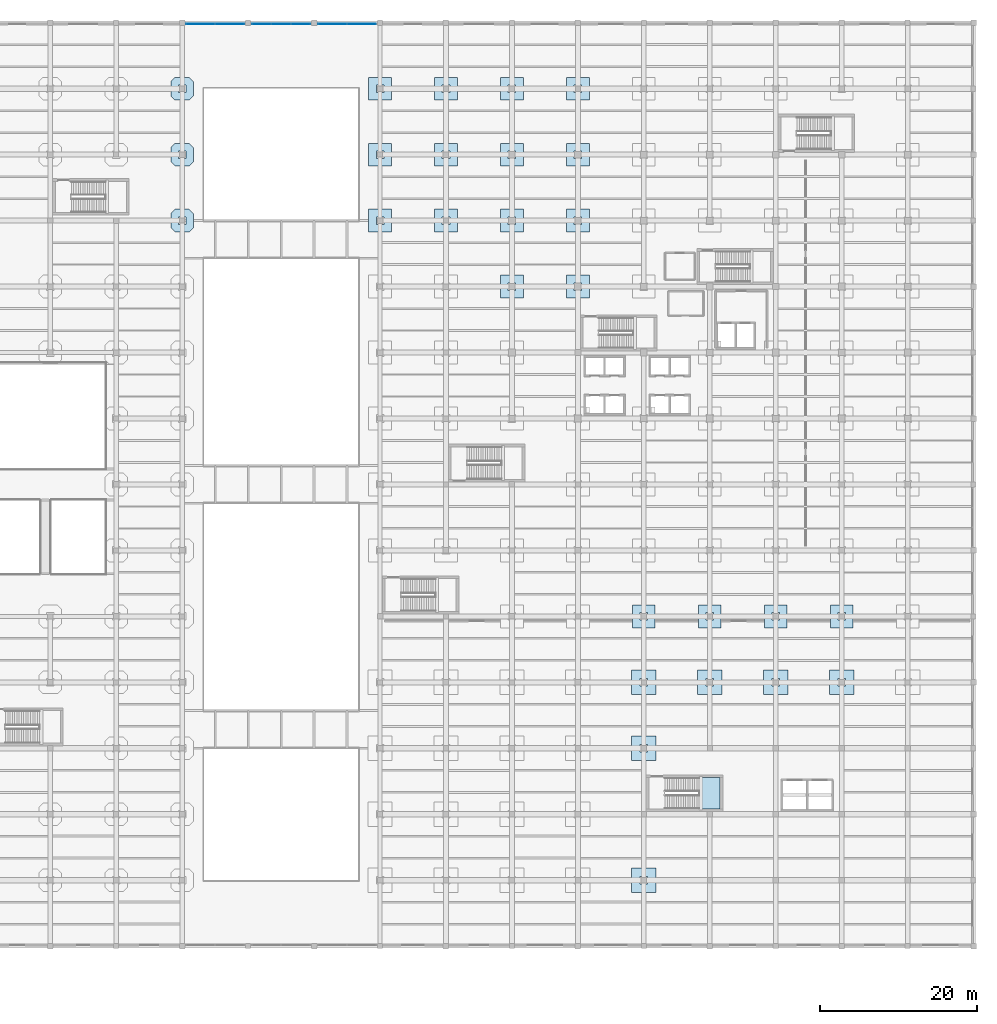
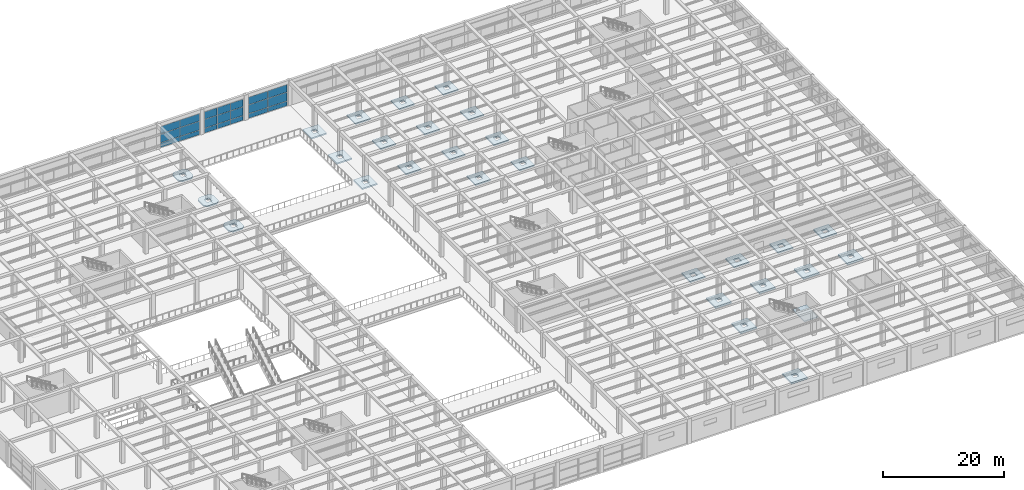
# One storey, part 44 of 65: 28 slabs, 21 plates, 4 elements without a shape of their own.
"""IFC4 building model written with IfcOpenShell, lengths in metres."""

from ifc_helpers import new_model, si_unit, direction, frame, origin, origin_2d, place, context, subcontext, project, spatial, polyline, rectangle, outline, extrude, material, layer, layer_set, type_object, element, aggregate, save


model = new_model("IFC4")

# Units and contexts
model_context = context("Model", 3, precision=1e-05, world=origin(), true_north=direction((0.0, 1.0)))
body_context = subcontext(model_context, "Body", "Model", "MODEL_VIEW")
ifc_project = project(units=[si_unit("LENGTHUNIT", "METRE"), si_unit("AREAUNIT", "SQUARE_METRE"), si_unit("VOLUMEUNIT", "CUBIC_METRE"), si_unit("PLANEANGLEUNIT", "RADIAN"), si_unit("MASSUNIT", "GRAM", prefix="KILO")], contexts=[model_context])

# Site, building, storey
site_placement = place(None, origin())
site = spatial("IfcSite", under=ifc_project, at=site_placement, CompositionType="ELEMENT")
building_placement = place(site_placement, origin())
building = spatial("IfcBuilding", under=site, at=building_placement, Name="Almacenes y Pasaje Nevantli", CompositionType="ELEMENT")
storey_placement = place(building_placement, frame((0.0, 0.0, 16.800048828125)))
storey = spatial("IfcBuildingStorey", under=building, at=storey_placement, Name="L04", CompositionType="ELEMENT", Elevation=16.800048828125)

# Curtain wall, plates
ifc_material_1 = material(Name="Thermally Broken Aluminium and Low-E Glass", Category="aluminium")
curtain_wall_type = type_object("IfcCurtainWallType", Name="CW-STF-ARCADE", PredefinedType="USERDEFINED", material=ifc_material_1)
curtain_wall_1_placement = place(storey_placement, origin())
curtain_wall_1 = element("IfcCurtainWall", 1, at=curtain_wall_1_placement, inside=storey, type_object=curtain_wall_type, Name="L04 North Arcade Monumental Portal Curtain Wall Bay 9", ObjectType="STOREFRONT GLAZING", PredefinedType="USERDEFINED")
ifc_material_2 = material(Name="Acoustic Tempered Low-E Triple Glazed Unit", Category="glass")
ifc_layer_1 = layer(ifc_material_2, 0.0419921875)
ifc_layer_set_1 = layer_set([ifc_layer_1], Name="Acoustic Tempered Low-E Triple Glazed Unit")
plate_type = type_object("IfcPlateType", Name="PL-IGU-42", PredefinedType="CURTAIN_PANEL", material=ifc_layer_set_1)
plate_1_placement = place(storey_placement, frame((69.541259765625, 117.449951171875, 0.06494140625), z_axis=(0.0, 0.0, 1.0), x_axis=(1.0, 0.0, 0.0)))
plate_1 = element("IfcPlate", 2, at=plate_1_placement, type_object=plate_type, Name="CW-L04-067 panel 1.1", PredefinedType="CURTAIN_PANEL", context=body_context, shape_type="SweptSolid", body=[
    extrude(rectangle(XDim=3.652587890625, YDim=0.0419921875, at=origin_2d()), origin(), (0.0, 0.0, 1.0), 0.902587890625),
])
plate_2_placement = place(storey_placement, frame((69.541259765625, 117.449951171875, 1.0322265625), z_axis=(0.0, 0.0, 1.0), x_axis=(1.0, 0.0, 0.0)))
plate_2 = element("IfcPlate", 3, at=plate_2_placement, type_object=plate_type, Name="CW-L04-067 panel 1.2", PredefinedType="CURTAIN_PANEL", context=body_context, shape_type="SweptSolid", body=[
    extrude(rectangle(XDim=3.652587890625, YDim=0.0419921875, at=origin_2d()), origin(), (0.0, 0.0, 1.0), 1.735107421875),
])
plate_3_placement = place(storey_placement, frame((69.541259765625, 117.449951171875, 2.83251953125), z_axis=(0.0, 0.0, 1.0), x_axis=(1.0, 0.0, 0.0)))
plate_3 = element("IfcPlate", 4, at=plate_3_placement, type_object=plate_type, Name="CW-L04-067 panel 1.3", PredefinedType="CURTAIN_PANEL", context=body_context, shape_type="SweptSolid", body=[
    extrude(rectangle(XDim=3.652587890625, YDim=0.0419921875, at=origin_2d()), origin(), (0.0, 0.0, 1.0), 1.482421875),
])
plate_4_placement = place(storey_placement, frame((73.2587890625, 117.449951171875, 0.06494140625), z_axis=(0.0, 0.0, 1.0), x_axis=(1.0, 0.0, 0.0)))
plate_4 = element("IfcPlate", 5, at=plate_4_placement, type_object=plate_type, Name="CW-L04-067 panel 2.1", PredefinedType="CURTAIN_PANEL", context=body_context, shape_type="SweptSolid", body=[
    extrude(rectangle(XDim=3.652587890625, YDim=0.0419921875, at=origin_2d()), origin(), (0.0, 0.0, 1.0), 0.902587890625),
])
plate_5_placement = place(storey_placement, frame((73.2587890625, 117.449951171875, 1.0322265625), z_axis=(0.0, 0.0, 1.0), x_axis=(1.0, 0.0, 0.0)))
plate_5 = element("IfcPlate", 6, at=plate_5_placement, type_object=plate_type, Name="CW-L04-067 panel 2.2", PredefinedType="CURTAIN_PANEL", context=body_context, shape_type="SweptSolid", body=[
    extrude(rectangle(XDim=3.652587890625, YDim=0.0419921875, at=origin_2d()), origin(), (0.0, 0.0, 1.0), 1.735107421875),
])
plate_6_placement = place(storey_placement, frame((73.2587890625, 117.449951171875, 2.83251953125), z_axis=(0.0, 0.0, 1.0), x_axis=(1.0, 0.0, 0.0)))
plate_6 = element("IfcPlate", 7, at=plate_6_placement, type_object=plate_type, Name="CW-L04-067 panel 2.3", PredefinedType="CURTAIN_PANEL", context=body_context, shape_type="SweptSolid", body=[
    extrude(rectangle(XDim=3.652587890625, YDim=0.0419921875, at=origin_2d()), origin(), (0.0, 0.0, 1.0), 1.482421875),
])
aggregate(curtain_wall_1, [plate_1, plate_2, plate_3, plate_4, plate_5, plate_6])

curtain_wall_2_placement = place(storey_placement, origin())
curtain_wall_2 = element("IfcCurtainWall", 8, at=curtain_wall_2_placement, inside=storey, type_object=curtain_wall_type, Name="L04 North Arcade Monumental Portal Curtain Wall Bay 10", ObjectType="STOREFRONT GLAZING", PredefinedType="USERDEFINED")
plate_7_placement = place(storey_placement, frame((77.316162109375, 117.449951171875, 0.06494140625), z_axis=(0.0, 0.0, 1.0), x_axis=(1.0, 0.0, 0.0)))
plate_7 = element("IfcPlate", 9, at=plate_7_placement, type_object=plate_type, Name="CW-L04-068 panel 1.1", PredefinedType="CURTAIN_PANEL", context=body_context, shape_type="SweptSolid", body=[
    extrude(rectangle(XDim=2.402587890625, YDim=0.0419921875, at=origin_2d()), origin(), (0.0, 0.0, 1.0), 0.902587890625),
])
plate_8_placement = place(storey_placement, frame((77.316162109375, 117.449951171875, 1.0322265625), z_axis=(0.0, 0.0, 1.0), x_axis=(1.0, 0.0, 0.0)))
plate_8 = element("IfcPlate", 10, at=plate_8_placement, type_object=plate_type, Name="CW-L04-068 panel 1.2", PredefinedType="CURTAIN_PANEL", context=body_context, shape_type="SweptSolid", body=[
    extrude(rectangle(XDim=2.402587890625, YDim=0.0419921875, at=origin_2d()), origin(), (0.0, 0.0, 1.0), 1.735107421875),
])
plate_9_placement = place(storey_placement, frame((77.316162109375, 117.449951171875, 2.83251953125), z_axis=(0.0, 0.0, 1.0), x_axis=(1.0, 0.0, 0.0)))
plate_9 = element("IfcPlate", 11, at=plate_9_placement, type_object=plate_type, Name="CW-L04-068 panel 1.3", PredefinedType="CURTAIN_PANEL", context=body_context, shape_type="SweptSolid", body=[
    extrude(rectangle(XDim=2.402587890625, YDim=0.0419921875, at=origin_2d()), origin(), (0.0, 0.0, 1.0), 1.482421875),
])
plate_10_placement = place(storey_placement, frame((79.800048828125, 117.449951171875, 0.06494140625), z_axis=(0.0, 0.0, 1.0), x_axis=(1.0, 0.0, 0.0)))
plate_10 = element("IfcPlate", 12, at=plate_10_placement, type_object=plate_type, Name="CW-L04-068 panel 2.1", PredefinedType="CURTAIN_PANEL", context=body_context, shape_type="SweptSolid", body=[
    extrude(rectangle(XDim=2.43505859375, YDim=0.0419921875, at=origin_2d()), origin(), (0.0, 0.0, 1.0), 0.902587890625),
])
plate_11_placement = place(storey_placement, frame((79.800048828125, 117.449951171875, 1.0322265625), z_axis=(0.0, 0.0, 1.0), x_axis=(1.0, 0.0, 0.0)))
plate_11 = element("IfcPlate", 13, at=plate_11_placement, type_object=plate_type, Name="CW-L04-068 panel 2.2", PredefinedType="CURTAIN_PANEL", context=body_context, shape_type="SweptSolid", body=[
    extrude(rectangle(XDim=2.43505859375, YDim=0.0419921875, at=origin_2d()), origin(), (0.0, 0.0, 1.0), 1.735107421875),
])
plate_12_placement = place(storey_placement, frame((79.800048828125, 117.449951171875, 2.83251953125), z_axis=(0.0, 0.0, 1.0), x_axis=(1.0, 0.0, 0.0)))
plate_12 = element("IfcPlate", 14, at=plate_12_placement, type_object=plate_type, Name="CW-L04-068 panel 2.3", PredefinedType="CURTAIN_PANEL", context=body_context, shape_type="SweptSolid", body=[
    extrude(rectangle(XDim=2.43505859375, YDim=0.0419921875, at=origin_2d()), origin(), (0.0, 0.0, 1.0), 1.482421875),
])
plate_13_placement = place(storey_placement, frame((82.28369140625, 117.449951171875, 0.06494140625), z_axis=(0.0, 0.0, 1.0), x_axis=(1.0, 0.0, 0.0)))
plate_13 = element("IfcPlate", 15, at=plate_13_placement, type_object=plate_type, Name="CW-L04-068 panel 3.1", PredefinedType="CURTAIN_PANEL", context=body_context, shape_type="SweptSolid", body=[
    extrude(rectangle(XDim=2.402587890625, YDim=0.0419921875, at=origin_2d()), origin(), (0.0, 0.0, 1.0), 0.902587890625),
])
plate_14_placement = place(storey_placement, frame((82.28369140625, 117.449951171875, 1.0322265625), z_axis=(0.0, 0.0, 1.0), x_axis=(1.0, 0.0, 0.0)))
plate_14 = element("IfcPlate", 16, at=plate_14_placement, type_object=plate_type, Name="CW-L04-068 panel 3.2", PredefinedType="CURTAIN_PANEL", context=body_context, shape_type="SweptSolid", body=[
    extrude(rectangle(XDim=2.402587890625, YDim=0.0419921875, at=origin_2d()), origin(), (0.0, 0.0, 1.0), 1.735107421875),
])
plate_15_placement = place(storey_placement, frame((82.28369140625, 117.449951171875, 2.83251953125), z_axis=(0.0, 0.0, 1.0), x_axis=(1.0, 0.0, 0.0)))
plate_15 = element("IfcPlate", 17, at=plate_15_placement, type_object=plate_type, Name="CW-L04-068 panel 3.3", PredefinedType="CURTAIN_PANEL", context=body_context, shape_type="SweptSolid", body=[
    extrude(rectangle(XDim=2.402587890625, YDim=0.0419921875, at=origin_2d()), origin(), (0.0, 0.0, 1.0), 1.482421875),
])
aggregate(curtain_wall_2, [plate_7, plate_8, plate_9, plate_10, plate_11, plate_12, plate_13, plate_14, plate_15])

curtain_wall_3_placement = place(storey_placement, origin())
curtain_wall_3 = element("IfcCurtainWall", 18, at=curtain_wall_3_placement, inside=storey, type_object=curtain_wall_type, Name="L04 North Arcade Monumental Portal Curtain Wall Bay 11", ObjectType="STOREFRONT GLAZING", PredefinedType="USERDEFINED")
plate_16_placement = place(storey_placement, frame((86.34130859375, 117.449951171875, 0.06494140625), z_axis=(0.0, 0.0, 1.0), x_axis=(1.0, 0.0, 0.0)))
plate_16 = element("IfcPlate", 19, at=plate_16_placement, type_object=plate_type, Name="CW-L04-069 panel 1.1", PredefinedType="CURTAIN_PANEL", context=body_context, shape_type="SweptSolid", body=[
    extrude(rectangle(XDim=3.652587890625, YDim=0.0419921875, at=origin_2d()), origin(), (0.0, 0.0, 1.0), 0.902587890625),
])
plate_17_placement = place(storey_placement, frame((86.34130859375, 117.449951171875, 1.0322265625), z_axis=(0.0, 0.0, 1.0), x_axis=(1.0, 0.0, 0.0)))
plate_17 = element("IfcPlate", 20, at=plate_17_placement, type_object=plate_type, Name="CW-L04-069 panel 1.2", PredefinedType="CURTAIN_PANEL", context=body_context, shape_type="SweptSolid", body=[
    extrude(rectangle(XDim=3.652587890625, YDim=0.0419921875, at=origin_2d()), origin(), (0.0, 0.0, 1.0), 1.735107421875),
])
plate_18_placement = place(storey_placement, frame((86.34130859375, 117.449951171875, 2.83251953125), z_axis=(0.0, 0.0, 1.0), x_axis=(1.0, 0.0, 0.0)))
plate_18 = element("IfcPlate", 21, at=plate_18_placement, type_object=plate_type, Name="CW-L04-069 panel 1.3", PredefinedType="CURTAIN_PANEL", context=body_context, shape_type="SweptSolid", body=[
    extrude(rectangle(XDim=3.652587890625, YDim=0.0419921875, at=origin_2d()), origin(), (0.0, 0.0, 1.0), 1.482421875),
])
plate_19_placement = place(storey_placement, frame((90.058837890625, 117.449951171875, 0.06494140625), z_axis=(0.0, 0.0, 1.0), x_axis=(1.0, 0.0, 0.0)))
plate_19 = element("IfcPlate", 22, at=plate_19_placement, type_object=plate_type, Name="CW-L04-069 panel 2.1", PredefinedType="CURTAIN_PANEL", context=body_context, shape_type="SweptSolid", body=[
    extrude(rectangle(XDim=3.652587890625, YDim=0.0419921875, at=origin_2d()), origin(), (0.0, 0.0, 1.0), 0.902587890625),
])
plate_20_placement = place(storey_placement, frame((90.058837890625, 117.449951171875, 1.0322265625), z_axis=(0.0, 0.0, 1.0), x_axis=(1.0, 0.0, 0.0)))
plate_20 = element("IfcPlate", 23, at=plate_20_placement, type_object=plate_type, Name="CW-L04-069 panel 2.2", PredefinedType="CURTAIN_PANEL", context=body_context, shape_type="SweptSolid", body=[
    extrude(rectangle(XDim=3.652587890625, YDim=0.0419921875, at=origin_2d()), origin(), (0.0, 0.0, 1.0), 1.735107421875),
])
plate_21_placement = place(storey_placement, frame((90.058837890625, 117.449951171875, 2.83251953125), z_axis=(0.0, 0.0, 1.0), x_axis=(1.0, 0.0, 0.0)))
plate_21 = element("IfcPlate", 24, at=plate_21_placement, type_object=plate_type, Name="CW-L04-069 panel 2.3", PredefinedType="CURTAIN_PANEL", context=body_context, shape_type="SweptSolid", body=[
    extrude(rectangle(XDim=3.652587890625, YDim=0.0419921875, at=origin_2d()), origin(), (0.0, 0.0, 1.0), 1.482421875),
])
aggregate(curtain_wall_3, [plate_16, plate_17, plate_18, plate_19, plate_20, plate_21])

# Slabs
ifc_material_3 = material(Name="Concrete C35/45", Category="concrete")
ifc_layer_2 = layer(ifc_material_3, 0.25)
ifc_layer_set_2 = layer_set([ifc_layer_2], Name="Concrete C35/45")
slab_type_1 = type_object("IfcSlabType", Name="SLB-DP-250", PredefinedType="USERDEFINED", material=ifc_layer_set_2)
slab_1_placement = place(storey_placement, frame((0.0, 0.0, -0.550048828125)))
element("IfcSlab", 25, at=slab_1_placement, inside=storey, type_object=slab_type_1, Name="L04 Punching-Shear Drop Panel DP-02 #827", ObjectType="DROP PANEL", PredefinedType="USERDEFINED", context=body_context, shape_type="SweptSolid", body=[
    extrude(outline(polyline([(66.300048828125, 90.949951171875), (68.10009765625, 90.949951171875), (68.64990234375, 91.5), (68.64990234375, 93.300048828125), (68.10009765625, 93.85009765625), (66.300048828125, 93.85009765625), (65.75, 93.300048828125), (65.75, 91.5), (66.300048828125, 90.949951171875)]), holes=[polyline([(66.719970703125, 91.919921875), (67.679931640625, 91.919921875), (67.679931640625, 92.8798828125), (66.719970703125, 92.8798828125), (66.719970703125, 91.919921875)])]), origin(), (0.0, 0.0, 1.0), 0.25),
])
slab_2_placement = place(storey_placement, frame((0.0, 0.0, -0.550048828125)))
element("IfcSlab", 26, at=slab_2_placement, inside=storey, type_object=slab_type_1, Name="L04 Punching-Shear Drop Panel DP-02 #828", ObjectType="DROP PANEL", PredefinedType="USERDEFINED", context=body_context, shape_type="SweptSolid", body=[
    extrude(outline(polyline([(66.300048828125, 99.35009765625), (68.10009765625, 99.35009765625), (68.64990234375, 99.89990234375), (68.64990234375, 101.699951171875), (68.10009765625, 102.25), (66.300048828125, 102.25), (65.75, 101.699951171875), (65.75, 99.89990234375), (66.300048828125, 99.35009765625)]), holes=[polyline([(66.719970703125, 100.320068359375), (67.679931640625, 100.320068359375), (67.679931640625, 101.280029296875), (66.719970703125, 101.280029296875), (66.719970703125, 100.320068359375)])]), origin(), (0.0, 0.0, 1.0), 0.25),
])
slab_3_placement = place(storey_placement, frame((0.0, 0.0, -0.550048828125)))
element("IfcSlab", 27, at=slab_3_placement, inside=storey, type_object=slab_type_1, Name="L04 Punching-Shear Drop Panel DP-02 #829", ObjectType="DROP PANEL", PredefinedType="USERDEFINED", context=body_context, shape_type="SweptSolid", body=[
    extrude(outline(polyline([(66.300048828125, 107.75), (68.10009765625, 107.75), (68.64990234375, 108.300048828125), (68.64990234375, 110.10009765625), (68.10009765625, 110.64990234375), (66.300048828125, 110.64990234375), (65.75, 110.10009765625), (65.75, 108.300048828125), (66.300048828125, 107.75)]), holes=[polyline([(66.719970703125, 108.719970703125), (67.679931640625, 108.719970703125), (67.679931640625, 109.679931640625), (66.719970703125, 109.679931640625), (66.719970703125, 108.719970703125)])]), origin(), (0.0, 0.0, 1.0), 0.25),
])
slab_4_placement = place(storey_placement, frame((0.0, 0.0, -0.550048828125)))
element("IfcSlab", 28, at=slab_4_placement, inside=storey, type_object=slab_type_1, Name="L04 Punching-Shear Drop Panel DP-02 #839", ObjectType="DROP PANEL", PredefinedType="USERDEFINED", context=body_context, shape_type="SweptSolid", body=[
    extrude(outline(polyline([(90.949951171875, 90.949951171875), (93.85009765625, 90.949951171875), (93.85009765625, 93.85009765625), (90.949951171875, 93.85009765625), (90.949951171875, 90.949951171875)]), holes=[polyline([(91.919921875, 91.919921875), (92.8798828125, 91.919921875), (92.8798828125, 92.8798828125), (91.919921875, 92.8798828125), (91.919921875, 91.919921875)])]), origin(), (0.0, 0.0, 1.0), 0.25),
])
slab_5_placement = place(storey_placement, frame((0.0, 0.0, -0.550048828125)))
element("IfcSlab", 29, at=slab_5_placement, inside=storey, type_object=slab_type_1, Name="L04 Punching-Shear Drop Panel DP-02 #840", ObjectType="DROP PANEL", PredefinedType="USERDEFINED", context=body_context, shape_type="SweptSolid", body=[
    extrude(outline(polyline([(90.949951171875, 99.35009765625), (93.85009765625, 99.35009765625), (93.85009765625, 102.25), (90.949951171875, 102.25), (90.949951171875, 99.35009765625)]), holes=[polyline([(91.919921875, 100.320068359375), (92.8798828125, 100.320068359375), (92.8798828125, 101.280029296875), (91.919921875, 101.280029296875), (91.919921875, 100.320068359375)])]), origin(), (0.0, 0.0, 1.0), 0.25),
])
slab_6_placement = place(storey_placement, frame((0.0, 0.0, -0.550048828125)))
element("IfcSlab", 30, at=slab_6_placement, inside=storey, type_object=slab_type_1, Name="L04 Punching-Shear Drop Panel DP-02 #841", ObjectType="DROP PANEL", PredefinedType="USERDEFINED", context=body_context, shape_type="SweptSolid", body=[
    extrude(outline(polyline([(90.949951171875, 107.75), (93.85009765625, 107.75), (93.85009765625, 110.64990234375), (90.949951171875, 110.64990234375), (90.949951171875, 107.75)]), holes=[polyline([(91.919921875, 108.719970703125), (92.8798828125, 108.719970703125), (92.8798828125, 109.679931640625), (91.919921875, 109.679931640625), (91.919921875, 108.719970703125)])]), origin(), (0.0, 0.0, 1.0), 0.25),
])
slab_7_placement = place(storey_placement, frame((0.0, 0.0, -0.550048828125)))
element("IfcSlab", 31, at=slab_7_placement, inside=storey, type_object=slab_type_1, Name="L04 Punching-Shear Drop Panel DP-02 #850", ObjectType="DROP PANEL", PredefinedType="USERDEFINED", context=body_context, shape_type="SweptSolid", body=[
    extrude(outline(polyline([(99.35009765625, 90.949951171875), (102.25, 90.949951171875), (102.25, 93.85009765625), (99.35009765625, 93.85009765625), (99.35009765625, 90.949951171875)]), holes=[polyline([(100.320068359375, 91.919921875), (101.280029296875, 91.919921875), (101.280029296875, 92.8798828125), (100.320068359375, 92.8798828125), (100.320068359375, 91.919921875)])]), origin(), (0.0, 0.0, 1.0), 0.25),
])
slab_8_placement = place(storey_placement, frame((0.0, 0.0, -0.550048828125)))
element("IfcSlab", 32, at=slab_8_placement, inside=storey, type_object=slab_type_1, Name="L04 Punching-Shear Drop Panel DP-02 #851", ObjectType="DROP PANEL", PredefinedType="USERDEFINED", context=body_context, shape_type="SweptSolid", body=[
    extrude(outline(polyline([(99.35009765625, 99.35009765625), (102.25, 99.35009765625), (102.25, 102.25), (99.35009765625, 102.25), (99.35009765625, 99.35009765625)]), holes=[polyline([(100.320068359375, 100.320068359375), (101.280029296875, 100.320068359375), (101.280029296875, 101.280029296875), (100.320068359375, 101.280029296875), (100.320068359375, 100.320068359375)])]), origin(), (0.0, 0.0, 1.0), 0.25),
])
slab_9_placement = place(storey_placement, frame((0.0, 0.0, -0.550048828125)))
element("IfcSlab", 33, at=slab_9_placement, inside=storey, type_object=slab_type_1, Name="L04 Punching-Shear Drop Panel DP-02 #852", ObjectType="DROP PANEL", PredefinedType="USERDEFINED", context=body_context, shape_type="SweptSolid", body=[
    extrude(outline(polyline([(99.35009765625, 107.75), (102.25, 107.75), (102.25, 110.64990234375), (99.35009765625, 110.64990234375), (99.35009765625, 107.75)]), holes=[polyline([(100.320068359375, 108.719970703125), (101.280029296875, 108.719970703125), (101.280029296875, 109.679931640625), (100.320068359375, 109.679931640625), (100.320068359375, 108.719970703125)])]), origin(), (0.0, 0.0, 1.0), 0.25),
])
slab_10_placement = place(storey_placement, frame((0.0, 0.0, -0.550048828125)))
element("IfcSlab", 34, at=slab_10_placement, inside=storey, type_object=slab_type_1, Name="L04 Punching-Shear Drop Panel DP-02 #861", ObjectType="DROP PANEL", PredefinedType="USERDEFINED", context=body_context, shape_type="SweptSolid", body=[
    extrude(outline(polyline([(107.75, 82.550048828125), (110.64990234375, 82.550048828125), (110.64990234375, 85.449951171875), (107.75, 85.449951171875), (107.75, 82.550048828125)]), holes=[polyline([(108.719970703125, 83.52001953125), (109.679931640625, 83.52001953125), (109.679931640625, 84.47998046875), (108.719970703125, 84.47998046875), (108.719970703125, 83.52001953125)])]), origin(), (0.0, 0.0, 1.0), 0.25),
])
slab_11_placement = place(storey_placement, frame((0.0, 0.0, -0.550048828125)))
element("IfcSlab", 35, at=slab_11_placement, inside=storey, type_object=slab_type_1, Name="L04 Punching-Shear Drop Panel DP-02 #862", ObjectType="DROP PANEL", PredefinedType="USERDEFINED", context=body_context, shape_type="SweptSolid", body=[
    extrude(outline(polyline([(107.75, 90.949951171875), (110.64990234375, 90.949951171875), (110.64990234375, 93.85009765625), (107.75, 93.85009765625), (107.75, 90.949951171875)]), holes=[polyline([(108.719970703125, 91.919921875), (109.679931640625, 91.919921875), (109.679931640625, 92.8798828125), (108.719970703125, 92.8798828125), (108.719970703125, 91.919921875)])]), origin(), (0.0, 0.0, 1.0), 0.25),
])
slab_12_placement = place(storey_placement, frame((0.0, 0.0, -0.550048828125)))
element("IfcSlab", 36, at=slab_12_placement, inside=storey, type_object=slab_type_1, Name="L04 Punching-Shear Drop Panel DP-02 #863", ObjectType="DROP PANEL", PredefinedType="USERDEFINED", context=body_context, shape_type="SweptSolid", body=[
    extrude(outline(polyline([(107.75, 99.35009765625), (110.64990234375, 99.35009765625), (110.64990234375, 102.25), (107.75, 102.25), (107.75, 99.35009765625)]), holes=[polyline([(108.719970703125, 100.320068359375), (109.679931640625, 100.320068359375), (109.679931640625, 101.280029296875), (108.719970703125, 101.280029296875), (108.719970703125, 100.320068359375)])]), origin(), (0.0, 0.0, 1.0), 0.25),
])
slab_13_placement = place(storey_placement, frame((0.0, 0.0, -0.550048828125)))
element("IfcSlab", 37, at=slab_13_placement, inside=storey, type_object=slab_type_1, Name="L04 Punching-Shear Drop Panel DP-02 #864", ObjectType="DROP PANEL", PredefinedType="USERDEFINED", context=body_context, shape_type="SweptSolid", body=[
    extrude(outline(polyline([(107.75, 107.75), (110.64990234375, 107.75), (110.64990234375, 110.64990234375), (107.75, 110.64990234375), (107.75, 107.75)]), holes=[polyline([(108.719970703125, 108.719970703125), (109.679931640625, 108.719970703125), (109.679931640625, 109.679931640625), (108.719970703125, 109.679931640625), (108.719970703125, 108.719970703125)])]), origin(), (0.0, 0.0, 1.0), 0.25),
])
slab_14_placement = place(storey_placement, frame((0.0, 0.0, -0.550048828125)))
element("IfcSlab", 38, at=slab_14_placement, inside=storey, type_object=slab_type_1, Name="L04 Punching-Shear Drop Panel DP-02 #873", ObjectType="DROP PANEL", PredefinedType="USERDEFINED", context=body_context, shape_type="SweptSolid", body=[
    extrude(outline(polyline([(116.14990234375, 82.550048828125), (119.050048828125, 82.550048828125), (119.050048828125, 85.449951171875), (116.14990234375, 85.449951171875), (116.14990234375, 82.550048828125)]), holes=[polyline([(117.1201171875, 83.52001953125), (118.080078125, 83.52001953125), (118.080078125, 84.47998046875), (117.1201171875, 84.47998046875), (117.1201171875, 83.52001953125)])]), origin(), (0.0, 0.0, 1.0), 0.25),
])
slab_15_placement = place(storey_placement, frame((0.0, 0.0, -0.550048828125)))
element("IfcSlab", 39, at=slab_15_placement, inside=storey, type_object=slab_type_1, Name="L04 Punching-Shear Drop Panel DP-02 #874", ObjectType="DROP PANEL", PredefinedType="USERDEFINED", context=body_context, shape_type="SweptSolid", body=[
    extrude(outline(polyline([(116.14990234375, 90.949951171875), (119.050048828125, 90.949951171875), (119.050048828125, 93.85009765625), (116.14990234375, 93.85009765625), (116.14990234375, 90.949951171875)]), holes=[polyline([(117.1201171875, 91.919921875), (118.080078125, 91.919921875), (118.080078125, 92.8798828125), (117.1201171875, 92.8798828125), (117.1201171875, 91.919921875)])]), origin(), (0.0, 0.0, 1.0), 0.25),
])
slab_16_placement = place(storey_placement, frame((0.0, 0.0, -0.550048828125)))
element("IfcSlab", 40, at=slab_16_placement, inside=storey, type_object=slab_type_1, Name="L04 Punching-Shear Drop Panel DP-02 #875", ObjectType="DROP PANEL", PredefinedType="USERDEFINED", context=body_context, shape_type="SweptSolid", body=[
    extrude(outline(polyline([(116.14990234375, 99.35009765625), (119.050048828125, 99.35009765625), (119.050048828125, 102.25), (116.14990234375, 102.25), (116.14990234375, 99.35009765625)]), holes=[polyline([(117.1201171875, 100.320068359375), (118.080078125, 100.320068359375), (118.080078125, 101.280029296875), (117.1201171875, 101.280029296875), (117.1201171875, 100.320068359375)])]), origin(), (0.0, 0.0, 1.0), 0.25),
])
slab_17_placement = place(storey_placement, frame((0.0, 0.0, -0.550048828125)))
element("IfcSlab", 41, at=slab_17_placement, inside=storey, type_object=slab_type_1, Name="L04 Punching-Shear Drop Panel DP-02 #876", ObjectType="DROP PANEL", PredefinedType="USERDEFINED", context=body_context, shape_type="SweptSolid", body=[
    extrude(outline(polyline([(116.14990234375, 107.75), (119.050048828125, 107.75), (119.050048828125, 110.64990234375), (116.14990234375, 110.64990234375), (116.14990234375, 107.75)]), holes=[polyline([(117.1201171875, 108.719970703125), (118.080078125, 108.719970703125), (118.080078125, 109.679931640625), (117.1201171875, 109.679931640625), (117.1201171875, 108.719970703125)])]), origin(), (0.0, 0.0, 1.0), 0.25),
])
slab_18_placement = place(storey_placement, frame((0.0, 0.0, -0.550048828125)))
element("IfcSlab", 42, at=slab_18_placement, inside=storey, type_object=slab_type_1, Name="L04 Punching-Shear Drop Panel DP-02 #880", ObjectType="DROP PANEL", PredefinedType="USERDEFINED", context=body_context, shape_type="SweptSolid", body=[
    extrude(outline(polyline([(124.550048828125, 40.550048828125), (127.449951171875, 40.550048828125), (127.449951171875, 43.449951171875), (124.550048828125, 43.449951171875), (124.550048828125, 40.550048828125)]), holes=[polyline([(125.52001953125, 41.52001953125), (126.47998046875, 41.52001953125), (126.47998046875, 42.47998046875), (125.52001953125, 42.47998046875), (125.52001953125, 41.52001953125)])]), origin(), (0.0, 0.0, 1.0), 0.25),
])
slab_19_placement = place(storey_placement, frame((0.0, 0.0, -0.550048828125)))
element("IfcSlab", 43, at=slab_19_placement, inside=storey, type_object=slab_type_1, Name="L04 Punching-Shear Drop Panel DP-02 #889", ObjectType="DROP PANEL", PredefinedType="USERDEFINED", context=body_context, shape_type="SweptSolid", body=[
    extrude(outline(polyline([(132.949951171875, 40.550048828125), (135.85009765625, 40.550048828125), (135.85009765625, 43.449951171875), (132.949951171875, 43.449951171875), (132.949951171875, 40.550048828125)]), holes=[polyline([(133.919921875, 41.52001953125), (134.8798828125, 41.52001953125), (134.8798828125, 42.47998046875), (133.919921875, 42.47998046875), (133.919921875, 41.52001953125)])]), origin(), (0.0, 0.0, 1.0), 0.25),
])
slab_20_placement = place(storey_placement, frame((0.0, 0.0, -0.550048828125)))
element("IfcSlab", 44, at=slab_20_placement, inside=storey, type_object=slab_type_1, Name="L04 Punching-Shear Drop Panel DP-02 #898", ObjectType="DROP PANEL", PredefinedType="USERDEFINED", context=body_context, shape_type="SweptSolid", body=[
    extrude(outline(polyline([(141.35009765625, 40.550048828125), (144.25, 40.550048828125), (144.25, 43.449951171875), (141.35009765625, 43.449951171875), (141.35009765625, 40.550048828125)]), holes=[polyline([(142.320068359375, 41.52001953125), (143.280029296875, 41.52001953125), (143.280029296875, 42.47998046875), (142.320068359375, 42.47998046875), (142.320068359375, 41.52001953125)])]), origin(), (0.0, 0.0, 1.0), 0.25),
])
slab_21_placement = place(storey_placement, frame((0.0, 0.0, -0.550048828125)))
element("IfcSlab", 45, at=slab_21_placement, inside=storey, type_object=slab_type_1, Name="L04 Punching-Shear Drop Panel DP-02 #906", ObjectType="DROP PANEL", PredefinedType="USERDEFINED", context=body_context, shape_type="SweptSolid", body=[
    extrude(outline(polyline([(149.75, 40.550048828125), (152.64990234375, 40.550048828125), (152.64990234375, 43.449951171875), (149.75, 43.449951171875), (149.75, 40.550048828125)]), holes=[polyline([(150.719970703125, 41.52001953125), (151.679931640625, 41.52001953125), (151.679931640625, 42.47998046875), (150.719970703125, 42.47998046875), (150.719970703125, 41.52001953125)])]), origin(), (0.0, 0.0, 1.0), 0.25),
])
ifc_material_4 = material(Name="Concrete C35/45", Category="concrete")
ifc_layer_3 = layer(ifc_material_4, 0.31005859375)
ifc_layer_set_3 = layer_set([ifc_layer_3], Name="Concrete C35/45")
slab_type_2 = type_object("IfcSlabType", Name="SLB-DP-310", PredefinedType="USERDEFINED", material=ifc_layer_set_3)
slab_22_placement = place(storey_placement, frame((0.0, 0.0, -0.610107421875)))
element("IfcSlab", 46, at=slab_22_placement, inside=storey, type_object=slab_type_2, Name="L04 Punching-Shear Drop Panel DP-03 #877", ObjectType="DROP PANEL", PredefinedType="USERDEFINED", context=body_context, shape_type="SweptSolid", body=[
    extrude(outline(polyline([(124.449951171875, 6.85009765625), (127.550048828125, 6.85009765625), (127.550048828125, 9.949951171875), (124.449951171875, 9.949951171875), (124.449951171875, 6.85009765625)]), holes=[polyline([(125.52001953125, 7.919921875), (126.47998046875, 7.919921875), (126.47998046875, 8.8798828125), (125.52001953125, 8.8798828125), (125.52001953125, 7.919921875)])]), origin(), (0.0, 0.0, 1.0), 0.31005859375),
])
slab_23_placement = place(storey_placement, frame((0.0, 0.0, -0.610107421875)))
element("IfcSlab", 47, at=slab_23_placement, inside=storey, type_object=slab_type_2, Name="L04 Punching-Shear Drop Panel DP-03 #878", ObjectType="DROP PANEL", PredefinedType="USERDEFINED", context=body_context, shape_type="SweptSolid", body=[
    extrude(outline(polyline([(124.449951171875, 23.64990234375), (127.550048828125, 23.64990234375), (127.550048828125, 26.75), (124.449951171875, 26.75), (124.449951171875, 23.64990234375)]), holes=[polyline([(125.52001953125, 24.719970703125), (126.47998046875, 24.719970703125), (126.47998046875, 25.679931640625), (125.52001953125, 25.679931640625), (125.52001953125, 24.719970703125)])]), origin(), (0.0, 0.0, 1.0), 0.31005859375),
])
slab_24_placement = place(storey_placement, frame((0.0, 0.0, -0.610107421875)))
element("IfcSlab", 48, at=slab_24_placement, inside=storey, type_object=slab_type_2, Name="L04 Punching-Shear Drop Panel DP-03 #879", ObjectType="DROP PANEL", PredefinedType="USERDEFINED", context=body_context, shape_type="SweptSolid", body=[
    extrude(outline(polyline([(124.449951171875, 32.050048828125), (127.550048828125, 32.050048828125), (127.550048828125, 35.14990234375), (124.449951171875, 35.14990234375), (124.449951171875, 32.050048828125)]), holes=[polyline([(125.52001953125, 33.1201171875), (126.47998046875, 33.1201171875), (126.47998046875, 34.080078125), (125.52001953125, 34.080078125), (125.52001953125, 33.1201171875)])]), origin(), (0.0, 0.0, 1.0), 0.31005859375),
])
slab_25_placement = place(storey_placement, frame((0.0, 0.0, -0.610107421875)))
element("IfcSlab", 49, at=slab_25_placement, inside=storey, type_object=slab_type_2, Name="L04 Punching-Shear Drop Panel DP-03 #888", ObjectType="DROP PANEL", PredefinedType="USERDEFINED", context=body_context, shape_type="SweptSolid", body=[
    extrude(outline(polyline([(132.85009765625, 32.050048828125), (135.949951171875, 32.050048828125), (135.949951171875, 35.14990234375), (132.85009765625, 35.14990234375), (132.85009765625, 32.050048828125)]), holes=[polyline([(133.919921875, 33.1201171875), (134.8798828125, 33.1201171875), (134.8798828125, 34.080078125), (133.919921875, 34.080078125), (133.919921875, 33.1201171875)])]), origin(), (0.0, 0.0, 1.0), 0.31005859375),
])
slab_26_placement = place(storey_placement, frame((0.0, 0.0, -0.610107421875)))
element("IfcSlab", 50, at=slab_26_placement, inside=storey, type_object=slab_type_2, Name="L04 Punching-Shear Drop Panel DP-03 #897", ObjectType="DROP PANEL", PredefinedType="USERDEFINED", context=body_context, shape_type="SweptSolid", body=[
    extrude(outline(polyline([(141.25, 32.050048828125), (144.35009765625, 32.050048828125), (144.35009765625, 35.14990234375), (141.25, 35.14990234375), (141.25, 32.050048828125)]), holes=[polyline([(142.320068359375, 33.1201171875), (143.280029296875, 33.1201171875), (143.280029296875, 34.080078125), (142.320068359375, 34.080078125), (142.320068359375, 33.1201171875)])]), origin(), (0.0, 0.0, 1.0), 0.31005859375),
])
slab_27_placement = place(storey_placement, frame((0.0, 0.0, -0.610107421875)))
element("IfcSlab", 51, at=slab_27_placement, inside=storey, type_object=slab_type_2, Name="L04 Punching-Shear Drop Panel DP-03 #905", ObjectType="DROP PANEL", PredefinedType="USERDEFINED", context=body_context, shape_type="SweptSolid", body=[
    extrude(outline(polyline([(149.64990234375, 32.050048828125), (152.75, 32.050048828125), (152.75, 35.14990234375), (149.64990234375, 35.14990234375), (149.64990234375, 32.050048828125)]), holes=[polyline([(150.719970703125, 33.1201171875), (151.679931640625, 33.1201171875), (151.679931640625, 34.080078125), (150.719970703125, 34.080078125), (150.719970703125, 33.1201171875)])]), origin(), (0.0, 0.0, 1.0), 0.31005859375),
])

# Stair, slab
ifc_material_5 = material(Name="Concrete C35/45", Category="concrete")
stair_type = type_object("IfcStairType", Name="STR-CORE-1750", PredefinedType="HALF_TURN_STAIR", material=ifc_material_5)
stair_placement = place(storey_placement, origin())
stair = element("IfcStair", 52, at=stair_placement, inside=storey, type_object=stair_type, Name="L04 Staircase ST-06", PredefinedType="HALF_TURN_STAIR")
ifc_material_6 = material(Name="Concrete C35/45", Category="concrete")
ifc_layer_4 = layer(ifc_material_6, 0.199951171875)
ifc_layer_set_4 = layer_set([ifc_layer_4], Name="Concrete C35/45")
slab_type_3 = type_object("IfcSlabType", Name="SLB-LAND-200", PredefinedType="LANDING", material=ifc_layer_set_4)
slab_28_placement = place(storey_placement, frame((0.0, 0.0, 2.5)))
slab_28 = element("IfcSlab", 53, at=slab_28_placement, type_object=slab_type_3, Name="ST-06-L04 landing 1", PredefinedType="LANDING", context=body_context, shape_type="SweptSolid", body=[
    extrude(outline(polyline([(133.034912109375, 17.5), (135.699951171875, 17.5), (135.699951171875, 21.449951171875), (133.034912109375, 21.449951171875), (133.034912109375, 17.5)])), origin(), (0.0, 0.0, 1.0), 0.199951171875),
])
aggregate(stair, [slab_28])

save(model, "model.ifc")
